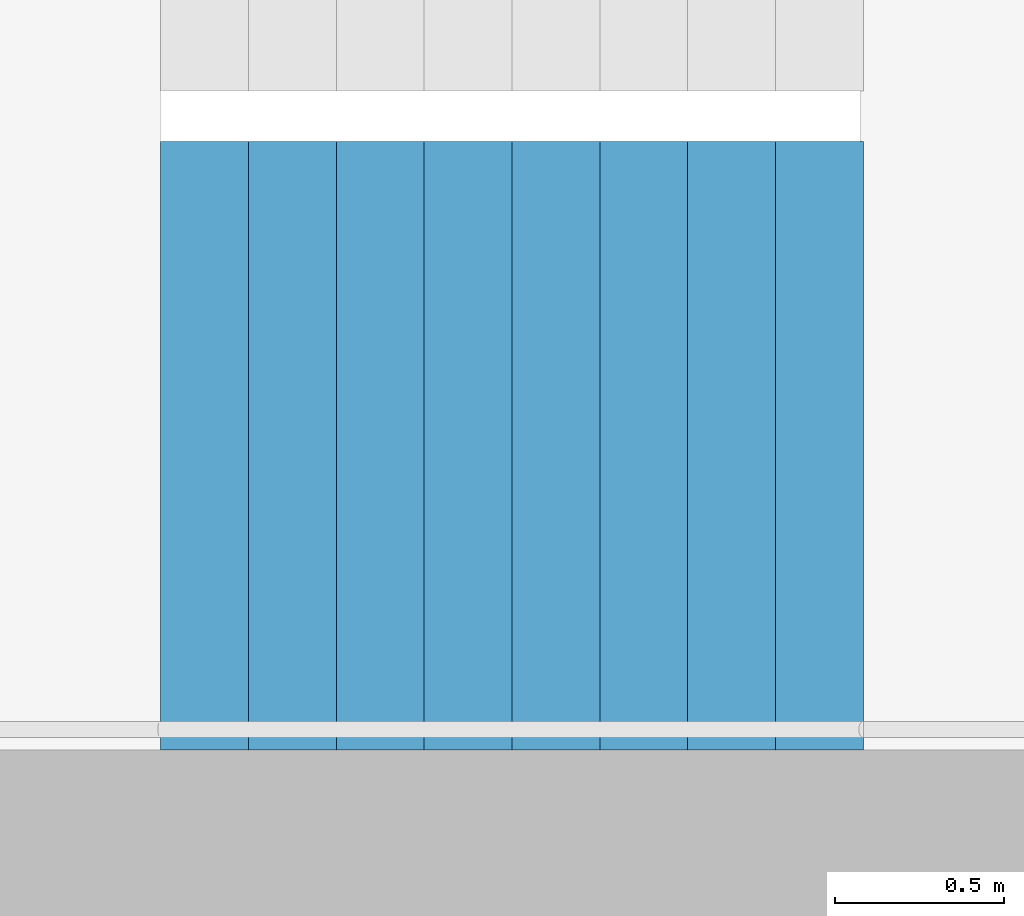
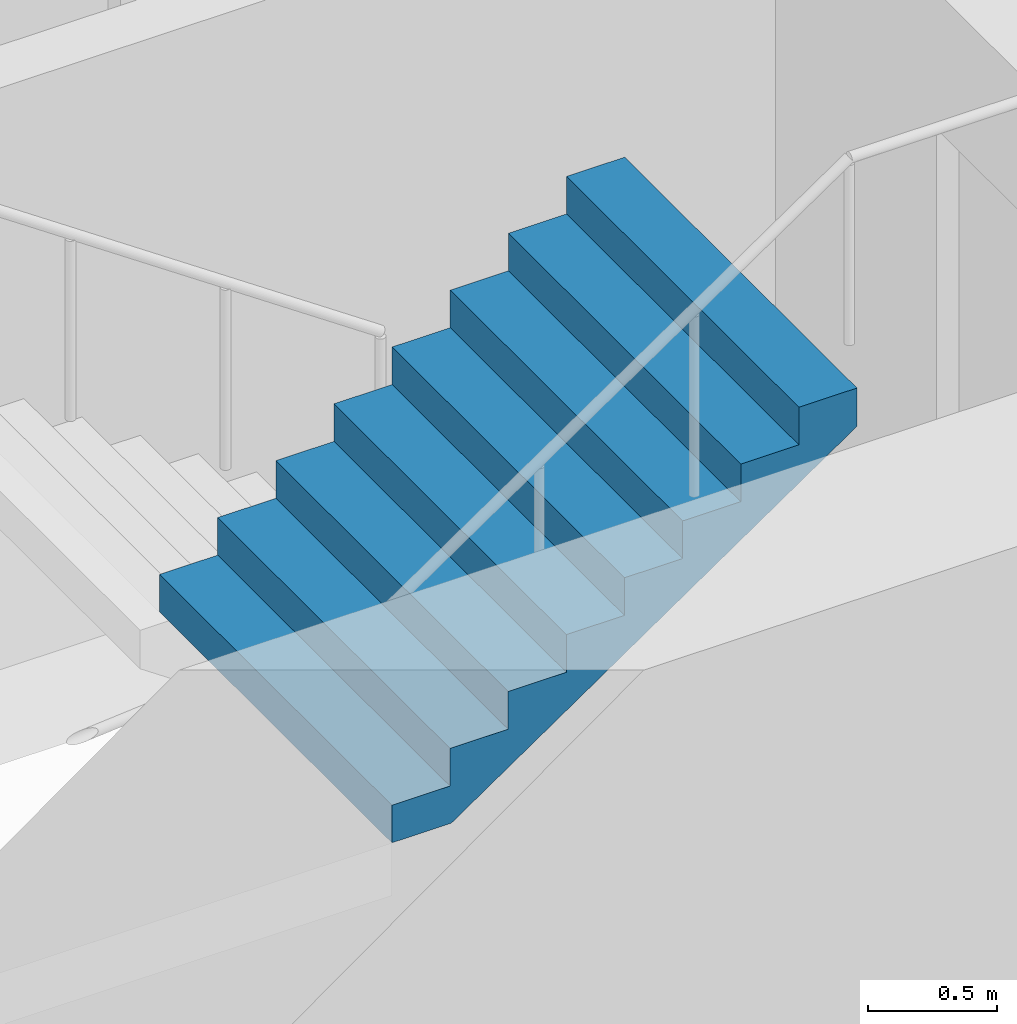
# One storey, part 18 of 26: 1 stair flight, 1 element without a shape of its own.
"""IFC4 building model written with IfcOpenShell, lengths in metres."""

from ifc_helpers import new_model, si_unit, direction, frame, origin, place, context, subcontext, project, spatial, triangles, material, type_object, element, aggregate, save


model = new_model("IFC4")

# Units and contexts
model_context = context("Model", 3, precision=1e-05, world=origin(), true_north=direction((0.0, 1.0)))
body_context = subcontext(model_context, "Body", "Model", "MODEL_VIEW")
ifc_project = project(units=[si_unit("LENGTHUNIT", "METRE"), si_unit("AREAUNIT", "SQUARE_METRE"), si_unit("VOLUMEUNIT", "CUBIC_METRE"), si_unit("PLANEANGLEUNIT", "RADIAN"), si_unit("MASSUNIT", "GRAM", prefix="KILO")], contexts=[model_context])

# Site, building, storey
site_placement = place(None, origin())
site = spatial("IfcSite", under=ifc_project, at=site_placement, CompositionType="ELEMENT")
building_placement = place(site_placement, origin())
building = spatial("IfcBuilding", under=site, at=building_placement, Name="Hakoniwa Tower and Hamabe Station Hall", CompositionType="ELEMENT")
storey_placement = place(building_placement, frame((0.0, 0.0, 199.39990234375)))
storey = spatial("IfcBuildingStorey", under=building, at=storey_placement, Name="L56", CompositionType="ELEMENT", Elevation=199.39990234375)

# Stair, stair flight
ifc_material_1 = material(Name="Concrete C40", Category="concrete")
stair_type = type_object("IfcStairType", Name="ESCAPE STAIR 1800", PredefinedType="HALF_TURN_STAIR", material=ifc_material_1)
stair_placement = place(storey_placement, origin())
stair = element("IfcStair", 1, at=stair_placement, inside=storey, type_object=stair_type, Name="Escape stair ST-2 L56", PredefinedType="HALF_TURN_STAIR")
ifc_material_2 = material(Name="Concrete C40", Category="concrete")
stair_flight_type = type_object("IfcStairFlightType", Name="STAIR FLIGHT 1800", PredefinedType="STRAIGHT", material=ifc_material_2)
stair_flight_placement = place(storey_placement, frame((-25.47998046875, -6.60009765625, 1.60009765625), z_axis=(0.0, 0.0, 1.0), x_axis=(1.0, 0.0, 0.0)))
stair_flight = element("IfcStairFlight", 2, at=stair_flight_placement, type_object=stair_flight_type, Name="ST-2 flight 2", NumberOfRisers=9, NumberOfTreads=8, PredefinedType="STRAIGHT", RiserHeight=0.177777778, TreadLength=0.26, context=body_context, shape_type="Tessellation", body=[
    triangles([(0.0, 0.89990234375, 0.0), (0.260009765625, 0.89990234375, 0.0), (0.265625, 0.89990234375, 0.0), (0.52001953125, 0.89990234375, 0.174072265625), (0.780029296875, 0.89990234375, 0.351806640625), (1.0400390625, 0.89990234375, 0.529541015625), (1.300048828125, 0.89990234375, 0.707275390625), (1.56005859375, 0.89990234375, 0.885009765625), (1.820068359375, 0.89990234375, 1.062744140625), (2.080078125, 0.89990234375, 1.24072265625), (2.080078125, 0.89990234375, 1.422119140625), (1.820068359375, 0.89990234375, 1.422119140625), (1.820068359375, 0.89990234375, 1.244384765625), (1.56005859375, 0.89990234375, 1.244384765625), (1.56005859375, 0.89990234375, 1.066650390625), (1.300048828125, 0.89990234375, 1.066650390625), (1.300048828125, 0.89990234375, 0.888916015625), (1.0400390625, 0.89990234375, 0.888916015625), (1.0400390625, 0.89990234375, 0.711181640625), (0.780029296875, 0.89990234375, 0.711181640625), (0.780029296875, 0.89990234375, 0.533447265625), (0.52001953125, 0.89990234375, 0.533447265625), (0.52001953125, 0.89990234375, 0.35546875), (0.265625, 0.89990234375, 0.35546875), (0.260009765625, 0.89990234375, 0.35546875), (0.260009765625, 0.89990234375, 0.177734375), (0.0, 0.89990234375, 0.177734375), (0.0, 0.06005859375, 0.0), (0.260009765625, 0.06005859375, 0.0), (0.265625, 0.06005859375, 0.0), (0.52001953125, 0.06005859375, 0.174072265625), (0.780029296875, 0.06005859375, 0.351806640625), (1.0400390625, 0.06005859375, 0.529541015625), (1.300048828125, 0.06005859375, 0.707275390625), (1.56005859375, 0.06005859375, 0.885009765625), (1.820068359375, 0.06005859375, 1.062744140625), (2.080078125, 0.06005859375, 1.24072265625), (2.080078125, 0.06005859375, 1.422119140625), (1.820068359375, 0.06005859375, 1.422119140625), (1.820068359375, 0.06005859375, 1.244384765625), (1.56005859375, 0.06005859375, 1.244384765625), (1.56005859375, 0.06005859375, 1.066650390625), (1.300048828125, 0.06005859375, 1.066650390625), (1.300048828125, 0.06005859375, 0.888916015625), (1.0400390625, 0.06005859375, 0.888916015625), (1.0400390625, 0.06005859375, 0.711181640625), (0.780029296875, 0.06005859375, 0.711181640625), (0.780029296875, 0.06005859375, 0.533447265625), (0.52001953125, 0.06005859375, 0.533447265625), (0.52001953125, 0.06005859375, 0.35546875), (0.265625, 0.06005859375, 0.35546875), (0.260009765625, 0.06005859375, 0.35546875), (0.260009765625, 0.06005859375, 0.177734375), (0.0, 0.06005859375, 0.177734375), (0.0, 0.04296875, 0.0), (0.260009765625, 0.04296875, 0.0), (0.265625, 0.04296875, 0.0), (0.52001953125, 0.04296875, 0.174072265625), (0.780029296875, 0.04296875, 0.351806640625), (1.0400390625, 0.04296875, 0.529541015625), (1.300048828125, 0.04296875, 0.707275390625), (1.56005859375, 0.04296875, 0.885009765625), (1.820068359375, 0.04296875, 1.062744140625), (2.080078125, 0.04296875, 1.24072265625), (2.080078125, 0.04296875, 1.422119140625), (1.820068359375, 0.04296875, 1.422119140625), (1.820068359375, 0.04296875, 1.244384765625), (1.56005859375, 0.04296875, 1.244384765625), (1.56005859375, 0.04296875, 1.066650390625), (1.300048828125, 0.04296875, 1.066650390625), (1.300048828125, 0.04296875, 0.888916015625), (1.0400390625, 0.04296875, 0.888916015625), (1.0400390625, 0.04296875, 0.711181640625), (0.780029296875, 0.04296875, 0.711181640625), (0.780029296875, 0.04296875, 0.533447265625), (0.52001953125, 0.04296875, 0.533447265625), (0.52001953125, 0.04296875, 0.35546875), (0.265625, 0.04296875, 0.35546875), (0.260009765625, 0.04296875, 0.35546875), (0.260009765625, 0.04296875, 0.177734375), (0.0, 0.04296875, 0.177734375), (0.0, 0.025634765625, 0.0), (0.260009765625, 0.025634765625, 0.0), (0.265625, 0.025634765625, 0.0), (0.52001953125, 0.025634765625, 0.174072265625), (0.780029296875, 0.025634765625, 0.351806640625), (1.0400390625, 0.025634765625, 0.529541015625), (1.300048828125, 0.025634765625, 0.707275390625), (1.56005859375, 0.025634765625, 0.885009765625), (1.820068359375, 0.025634765625, 1.062744140625), (2.080078125, 0.025634765625, 1.24072265625), (2.080078125, 0.025634765625, 1.422119140625), (1.820068359375, 0.025634765625, 1.422119140625), (1.820068359375, 0.025634765625, 1.244384765625), (1.56005859375, 0.025634765625, 1.244384765625), (1.56005859375, 0.025634765625, 1.066650390625), (1.300048828125, 0.025634765625, 1.066650390625), (1.300048828125, 0.025634765625, 0.888916015625), (1.0400390625, 0.025634765625, 0.888916015625), (1.0400390625, 0.025634765625, 0.711181640625), (0.780029296875, 0.025634765625, 0.711181640625), (0.780029296875, 0.025634765625, 0.533447265625), (0.52001953125, 0.025634765625, 0.533447265625), (0.52001953125, 0.025634765625, 0.35546875), (0.265625, 0.025634765625, 0.35546875), (0.260009765625, 0.025634765625, 0.35546875), (0.260009765625, 0.025634765625, 0.177734375), (0.0, 0.025634765625, 0.177734375), (0.0, 0.008544921875, 0.0), (0.260009765625, 0.008544921875, 0.0), (0.265625, 0.008544921875, 0.0), (0.52001953125, 0.008544921875, 0.174072265625), (0.780029296875, 0.008544921875, 0.351806640625), (1.0400390625, 0.008544921875, 0.529541015625), (1.300048828125, 0.008544921875, 0.707275390625), (1.56005859375, 0.008544921875, 0.885009765625), (1.820068359375, 0.008544921875, 1.062744140625), (2.080078125, 0.008544921875, 1.24072265625), (2.080078125, 0.008544921875, 1.422119140625), (1.820068359375, 0.008544921875, 1.422119140625), (1.820068359375, 0.008544921875, 1.244384765625), (1.56005859375, 0.008544921875, 1.244384765625), (1.56005859375, 0.008544921875, 1.066650390625), (1.300048828125, 0.008544921875, 1.066650390625), (1.300048828125, 0.008544921875, 0.888916015625), (1.0400390625, 0.008544921875, 0.888916015625), (1.0400390625, 0.008544921875, 0.711181640625), (0.780029296875, 0.008544921875, 0.711181640625), (0.780029296875, 0.008544921875, 0.533447265625), (0.52001953125, 0.008544921875, 0.533447265625), (0.52001953125, 0.008544921875, 0.35546875), (0.265625, 0.008544921875, 0.35546875), (0.260009765625, 0.008544921875, 0.35546875), (0.260009765625, 0.008544921875, 0.177734375), (0.0, 0.008544921875, 0.177734375), (0.0, -0.008544921875, 0.0), (0.260009765625, -0.008544921875, 0.0), (0.265625, -0.008544921875, 0.0), (0.52001953125, -0.008544921875, 0.174072265625), (0.780029296875, -0.008544921875, 0.351806640625), (1.0400390625, -0.008544921875, 0.529541015625), (1.300048828125, -0.008544921875, 0.707275390625), (1.56005859375, -0.008544921875, 0.885009765625), (1.820068359375, -0.008544921875, 1.062744140625), (2.080078125, -0.008544921875, 1.24072265625), (2.080078125, -0.008544921875, 1.422119140625), (1.820068359375, -0.008544921875, 1.422119140625), (1.820068359375, -0.008544921875, 1.244384765625), (1.56005859375, -0.008544921875, 1.244384765625), (1.56005859375, -0.008544921875, 1.066650390625), (1.300048828125, -0.008544921875, 1.066650390625), (1.300048828125, -0.008544921875, 0.888916015625), (1.0400390625, -0.008544921875, 0.888916015625), (1.0400390625, -0.008544921875, 0.711181640625), (0.780029296875, -0.008544921875, 0.711181640625), (0.780029296875, -0.008544921875, 0.533447265625), (0.52001953125, -0.008544921875, 0.533447265625), (0.52001953125, -0.008544921875, 0.35546875), (0.265625, -0.008544921875, 0.35546875), (0.260009765625, -0.008544921875, 0.35546875), (0.260009765625, -0.008544921875, 0.177734375), (0.0, -0.008544921875, 0.177734375), (0.0, -0.025634765625, 0.0), (0.260009765625, -0.025634765625, 0.0), (0.265625, -0.025634765625, 0.0), (0.52001953125, -0.025634765625, 0.174072265625), (0.780029296875, -0.025634765625, 0.351806640625), (1.0400390625, -0.025634765625, 0.529541015625), (1.300048828125, -0.025634765625, 0.707275390625), (1.56005859375, -0.025634765625, 0.885009765625), (1.820068359375, -0.025634765625, 1.062744140625), (2.080078125, -0.025634765625, 1.24072265625), (2.080078125, -0.025634765625, 1.422119140625), (1.820068359375, -0.025634765625, 1.422119140625), (1.820068359375, -0.025634765625, 1.244384765625), (1.56005859375, -0.025634765625, 1.244384765625), (1.56005859375, -0.025634765625, 1.066650390625), (1.300048828125, -0.025634765625, 1.066650390625), (1.300048828125, -0.025634765625, 0.888916015625), (1.0400390625, -0.025634765625, 0.888916015625), (1.0400390625, -0.025634765625, 0.711181640625), (0.780029296875, -0.025634765625, 0.711181640625), (0.780029296875, -0.025634765625, 0.533447265625), (0.52001953125, -0.025634765625, 0.533447265625), (0.52001953125, -0.025634765625, 0.35546875), (0.265625, -0.025634765625, 0.35546875), (0.260009765625, -0.025634765625, 0.35546875), (0.260009765625, -0.025634765625, 0.177734375), (0.0, -0.025634765625, 0.177734375), (0.0, -0.04296875, 0.0), (0.260009765625, -0.04296875, 0.0), (0.265625, -0.04296875, 0.0), (0.52001953125, -0.04296875, 0.174072265625), (0.780029296875, -0.04296875, 0.351806640625), (1.0400390625, -0.04296875, 0.529541015625), (1.300048828125, -0.04296875, 0.707275390625), (1.56005859375, -0.04296875, 0.885009765625), (1.820068359375, -0.04296875, 1.062744140625), (2.080078125, -0.04296875, 1.24072265625), (2.080078125, -0.04296875, 1.422119140625), (1.820068359375, -0.04296875, 1.422119140625), (1.820068359375, -0.04296875, 1.244384765625), (1.56005859375, -0.04296875, 1.244384765625), (1.56005859375, -0.04296875, 1.066650390625), (1.300048828125, -0.04296875, 1.066650390625), (1.300048828125, -0.04296875, 0.888916015625), (1.0400390625, -0.04296875, 0.888916015625), (1.0400390625, -0.04296875, 0.711181640625), (0.780029296875, -0.04296875, 0.711181640625), (0.780029296875, -0.04296875, 0.533447265625), (0.52001953125, -0.04296875, 0.533447265625), (0.52001953125, -0.04296875, 0.35546875), (0.265625, -0.04296875, 0.35546875), (0.260009765625, -0.04296875, 0.35546875), (0.260009765625, -0.04296875, 0.177734375), (0.0, -0.04296875, 0.177734375), (0.0, -0.06005859375, 0.0), (0.260009765625, -0.06005859375, 0.0), (0.265625, -0.06005859375, 0.0), (0.52001953125, -0.06005859375, 0.174072265625), (0.780029296875, -0.06005859375, 0.351806640625), (1.0400390625, -0.06005859375, 0.529541015625), (1.300048828125, -0.06005859375, 0.707275390625), (1.56005859375, -0.06005859375, 0.885009765625), (1.820068359375, -0.06005859375, 1.062744140625), (2.080078125, -0.06005859375, 1.24072265625), (2.080078125, -0.06005859375, 1.422119140625), (1.820068359375, -0.06005859375, 1.422119140625), (1.820068359375, -0.06005859375, 1.244384765625), (1.56005859375, -0.06005859375, 1.244384765625), (1.56005859375, -0.06005859375, 1.066650390625), (1.300048828125, -0.06005859375, 1.066650390625), (1.300048828125, -0.06005859375, 0.888916015625), (1.0400390625, -0.06005859375, 0.888916015625), (1.0400390625, -0.06005859375, 0.711181640625), (0.780029296875, -0.06005859375, 0.711181640625), (0.780029296875, -0.06005859375, 0.533447265625), (0.52001953125, -0.06005859375, 0.533447265625), (0.52001953125, -0.06005859375, 0.35546875), (0.265625, -0.06005859375, 0.35546875), (0.260009765625, -0.06005859375, 0.35546875), (0.260009765625, -0.06005859375, 0.177734375), (0.0, -0.06005859375, 0.177734375), (0.0, -0.89990234375, 0.0), (0.260009765625, -0.89990234375, 0.0), (0.265625, -0.89990234375, 0.0), (0.52001953125, -0.89990234375, 0.174072265625), (0.780029296875, -0.89990234375, 0.351806640625), (1.0400390625, -0.89990234375, 0.529541015625), (1.300048828125, -0.89990234375, 0.707275390625), (1.56005859375, -0.89990234375, 0.885009765625), (1.820068359375, -0.89990234375, 1.062744140625), (2.080078125, -0.89990234375, 1.24072265625), (2.080078125, -0.89990234375, 1.422119140625), (1.820068359375, -0.89990234375, 1.422119140625), (1.820068359375, -0.89990234375, 1.244384765625), (1.56005859375, -0.89990234375, 1.244384765625), (1.56005859375, -0.89990234375, 1.066650390625), (1.300048828125, -0.89990234375, 1.066650390625), (1.300048828125, -0.89990234375, 0.888916015625), (1.0400390625, -0.89990234375, 0.888916015625), (1.0400390625, -0.89990234375, 0.711181640625), (0.780029296875, -0.89990234375, 0.711181640625), (0.780029296875, -0.89990234375, 0.533447265625), (0.52001953125, -0.89990234375, 0.533447265625), (0.52001953125, -0.89990234375, 0.35546875), (0.265625, -0.89990234375, 0.35546875), (0.260009765625, -0.89990234375, 0.35546875), (0.260009765625, -0.89990234375, 0.177734375), (0.0, -0.89990234375, 0.177734375)], [[2, 27, 26], [245, 269, 270], [2, 1, 27], [245, 270, 244], [3, 25, 24], [246, 267, 268], [3, 26, 25], [246, 268, 269], [3, 2, 26], [246, 269, 245], [4, 24, 23], [247, 266, 267], [4, 3, 24], [247, 267, 246], [5, 22, 21], [248, 264, 265], [5, 23, 22], [248, 265, 266], [5, 4, 23], [248, 266, 247], [6, 20, 19], [249, 262, 263], [6, 21, 20], [249, 263, 264], [6, 5, 21], [249, 264, 248], [7, 18, 17], [250, 260, 261], [7, 19, 18], [250, 261, 262], [7, 6, 19], [250, 262, 249], [8, 16, 15], [251, 258, 259], [8, 17, 16], [251, 259, 260], [8, 7, 17], [251, 260, 250], [9, 14, 13], [252, 256, 257], [9, 15, 14], [252, 257, 258], [9, 8, 15], [252, 258, 251], [10, 12, 11], [253, 254, 255], [10, 13, 12], [253, 255, 256], [10, 9, 13], [253, 256, 252], [1, 2, 29], [1, 29, 28], [28, 29, 56], [28, 56, 55], [55, 56, 83], [55, 83, 82], [82, 83, 110], [82, 110, 109], [109, 110, 137], [109, 137, 136], [136, 137, 164], [136, 164, 163], [163, 164, 191], [163, 191, 190], [190, 191, 218], [190, 218, 217], [217, 218, 245], [217, 245, 244], [2, 3, 30], [2, 30, 29], [29, 30, 57], [29, 57, 56], [56, 57, 84], [56, 84, 83], [83, 84, 111], [83, 111, 110], [110, 111, 138], [110, 138, 137], [137, 138, 165], [137, 165, 164], [164, 165, 192], [164, 192, 191], [191, 192, 219], [191, 219, 218], [218, 219, 246], [218, 246, 245], [3, 4, 31], [3, 31, 30], [30, 31, 58], [30, 58, 57], [57, 58, 85], [57, 85, 84], [84, 85, 112], [84, 112, 111], [111, 112, 139], [111, 139, 138], [138, 139, 166], [138, 166, 165], [165, 166, 193], [165, 193, 192], [192, 193, 220], [192, 220, 219], [219, 220, 247], [219, 247, 246], [4, 5, 32], [4, 32, 31], [31, 32, 59], [31, 59, 58], [58, 59, 86], [58, 86, 85], [85, 86, 113], [85, 113, 112], [112, 113, 140], [112, 140, 139], [139, 140, 167], [139, 167, 166], [166, 167, 194], [166, 194, 193], [193, 194, 221], [193, 221, 220], [220, 221, 248], [220, 248, 247], [5, 6, 33], [5, 33, 32], [32, 33, 60], [32, 60, 59], [59, 60, 87], [59, 87, 86], [86, 87, 114], [86, 114, 113], [113, 114, 141], [113, 141, 140], [140, 141, 168], [140, 168, 167], [167, 168, 195], [167, 195, 194], [194, 195, 222], [194, 222, 221], [221, 222, 249], [221, 249, 248], [6, 7, 34], [6, 34, 33], [33, 34, 61], [33, 61, 60], [60, 61, 88], [60, 88, 87], [87, 88, 115], [87, 115, 114], [114, 115, 142], [114, 142, 141], [141, 142, 169], [141, 169, 168], [168, 169, 196], [168, 196, 195], [195, 196, 223], [195, 223, 222], [222, 223, 250], [222, 250, 249], [7, 8, 35], [7, 35, 34], [34, 35, 62], [34, 62, 61], [61, 62, 89], [61, 89, 88], [88, 89, 116], [88, 116, 115], [115, 116, 143], [115, 143, 142], [142, 143, 170], [142, 170, 169], [169, 170, 197], [169, 197, 196], [196, 197, 224], [196, 224, 223], [223, 224, 251], [223, 251, 250], [8, 9, 36], [8, 36, 35], [35, 36, 63], [35, 63, 62], [62, 63, 90], [62, 90, 89], [89, 90, 117], [89, 117, 116], [116, 117, 144], [116, 144, 143], [143, 144, 171], [143, 171, 170], [170, 171, 198], [170, 198, 197], [197, 198, 225], [197, 225, 224], [224, 225, 252], [224, 252, 251], [9, 10, 37], [9, 37, 36], [36, 37, 64], [36, 64, 63], [63, 64, 91], [63, 91, 90], [90, 91, 118], [90, 118, 117], [117, 118, 145], [117, 145, 144], [144, 145, 172], [144, 172, 171], [171, 172, 199], [171, 199, 198], [198, 199, 226], [198, 226, 225], [225, 226, 253], [225, 253, 252], [10, 11, 38], [10, 38, 37], [37, 38, 65], [37, 65, 64], [64, 65, 92], [64, 92, 91], [91, 92, 119], [91, 119, 118], [118, 119, 146], [118, 146, 145], [145, 146, 173], [145, 173, 172], [172, 173, 200], [172, 200, 199], [199, 200, 227], [199, 227, 226], [226, 227, 254], [226, 254, 253], [11, 12, 39], [11, 39, 38], [38, 39, 66], [38, 66, 65], [65, 66, 93], [65, 93, 92], [92, 93, 120], [92, 120, 119], [119, 120, 147], [119, 147, 146], [146, 147, 174], [146, 174, 173], [173, 174, 201], [173, 201, 200], [200, 201, 228], [200, 228, 227], [227, 228, 255], [227, 255, 254], [12, 13, 40], [12, 40, 39], [39, 40, 67], [39, 67, 66], [66, 67, 94], [66, 94, 93], [93, 94, 121], [93, 121, 120], [120, 121, 148], [120, 148, 147], [147, 148, 175], [147, 175, 174], [174, 175, 202], [174, 202, 201], [201, 202, 229], [201, 229, 228], [228, 229, 256], [228, 256, 255], [13, 14, 41], [13, 41, 40], [40, 41, 68], [40, 68, 67], [67, 68, 95], [67, 95, 94], [94, 95, 122], [94, 122, 121], [121, 122, 149], [121, 149, 148], [148, 149, 176], [148, 176, 175], [175, 176, 203], [175, 203, 202], [202, 203, 230], [202, 230, 229], [229, 230, 257], [229, 257, 256], [14, 15, 42], [14, 42, 41], [41, 42, 69], [41, 69, 68], [68, 69, 96], [68, 96, 95], [95, 96, 123], [95, 123, 122], [122, 123, 150], [122, 150, 149], [149, 150, 177], [149, 177, 176], [176, 177, 204], [176, 204, 203], [203, 204, 231], [203, 231, 230], [230, 231, 258], [230, 258, 257], [15, 16, 43], [15, 43, 42], [42, 43, 70], [42, 70, 69], [69, 70, 97], [69, 97, 96], [96, 97, 124], [96, 124, 123], [123, 124, 151], [123, 151, 150], [150, 151, 178], [150, 178, 177], [177, 178, 205], [177, 205, 204], [204, 205, 232], [204, 232, 231], [231, 232, 259], [231, 259, 258], [16, 17, 44], [16, 44, 43], [43, 44, 71], [43, 71, 70], [70, 71, 98], [70, 98, 97], [97, 98, 125], [97, 125, 124], [124, 125, 152], [124, 152, 151], [151, 152, 179], [151, 179, 178], [178, 179, 206], [178, 206, 205], [205, 206, 233], [205, 233, 232], [232, 233, 260], [232, 260, 259], [17, 18, 45], [17, 45, 44], [44, 45, 72], [44, 72, 71], [71, 72, 99], [71, 99, 98], [98, 99, 126], [98, 126, 125], [125, 126, 153], [125, 153, 152], [152, 153, 180], [152, 180, 179], [179, 180, 207], [179, 207, 206], [206, 207, 234], [206, 234, 233], [233, 234, 261], [233, 261, 260], [18, 19, 46], [18, 46, 45], [45, 46, 73], [45, 73, 72], [72, 73, 100], [72, 100, 99], [99, 100, 127], [99, 127, 126], [126, 127, 154], [126, 154, 153], [153, 154, 181], [153, 181, 180], [180, 181, 208], [180, 208, 207], [207, 208, 235], [207, 235, 234], [234, 235, 262], [234, 262, 261], [19, 20, 47], [19, 47, 46], [46, 47, 74], [46, 74, 73], [73, 74, 101], [73, 101, 100], [100, 101, 128], [100, 128, 127], [127, 128, 155], [127, 155, 154], [154, 155, 182], [154, 182, 181], [181, 182, 209], [181, 209, 208], [208, 209, 236], [208, 236, 235], [235, 236, 263], [235, 263, 262], [20, 21, 48], [20, 48, 47], [47, 48, 75], [47, 75, 74], [74, 75, 102], [74, 102, 101], [101, 102, 129], [101, 129, 128], [128, 129, 156], [128, 156, 155], [155, 156, 183], [155, 183, 182], [182, 183, 210], [182, 210, 209], [209, 210, 237], [209, 237, 236], [236, 237, 264], [236, 264, 263], [21, 22, 49], [21, 49, 48], [48, 49, 76], [48, 76, 75], [75, 76, 103], [75, 103, 102], [102, 103, 130], [102, 130, 129], [129, 130, 157], [129, 157, 156], [156, 157, 184], [156, 184, 183], [183, 184, 211], [183, 211, 210], [210, 211, 238], [210, 238, 237], [237, 238, 265], [237, 265, 264], [22, 23, 50], [22, 50, 49], [49, 50, 77], [49, 77, 76], [76, 77, 104], [76, 104, 103], [103, 104, 131], [103, 131, 130], [130, 131, 158], [130, 158, 157], [157, 158, 185], [157, 185, 184], [184, 185, 212], [184, 212, 211], [211, 212, 239], [211, 239, 238], [238, 239, 266], [238, 266, 265], [23, 24, 51], [23, 51, 50], [50, 51, 78], [50, 78, 77], [77, 78, 105], [77, 105, 104], [104, 105, 132], [104, 132, 131], [131, 132, 159], [131, 159, 158], [158, 159, 186], [158, 186, 185], [185, 186, 213], [185, 213, 212], [212, 213, 240], [212, 240, 239], [239, 240, 267], [239, 267, 266], [24, 25, 52], [24, 52, 51], [51, 52, 79], [51, 79, 78], [78, 79, 106], [78, 106, 105], [105, 106, 133], [105, 133, 132], [132, 133, 160], [132, 160, 159], [159, 160, 187], [159, 187, 186], [186, 187, 214], [186, 214, 213], [213, 214, 241], [213, 241, 240], [240, 241, 268], [240, 268, 267], [25, 26, 53], [25, 53, 52], [52, 53, 80], [52, 80, 79], [79, 80, 107], [79, 107, 106], [106, 107, 134], [106, 134, 133], [133, 134, 161], [133, 161, 160], [160, 161, 188], [160, 188, 187], [187, 188, 215], [187, 215, 214], [214, 215, 242], [214, 242, 241], [241, 242, 269], [241, 269, 268], [26, 27, 54], [26, 54, 53], [53, 54, 81], [53, 81, 80], [80, 81, 108], [80, 108, 107], [107, 108, 135], [107, 135, 134], [134, 135, 162], [134, 162, 161], [161, 162, 189], [161, 189, 188], [188, 189, 216], [188, 216, 215], [215, 216, 243], [215, 243, 242], [242, 243, 270], [242, 270, 269], [27, 1, 28], [27, 28, 54], [54, 28, 55], [54, 55, 81], [81, 55, 82], [81, 82, 108], [108, 82, 109], [108, 109, 135], [135, 109, 136], [135, 136, 162], [162, 136, 163], [162, 163, 189], [189, 163, 190], [189, 190, 216], [216, 190, 217], [216, 217, 243], [243, 217, 244], [243, 244, 270]], closed=True),
])
aggregate(stair, [stair_flight])

save(model, "model.ifc")
